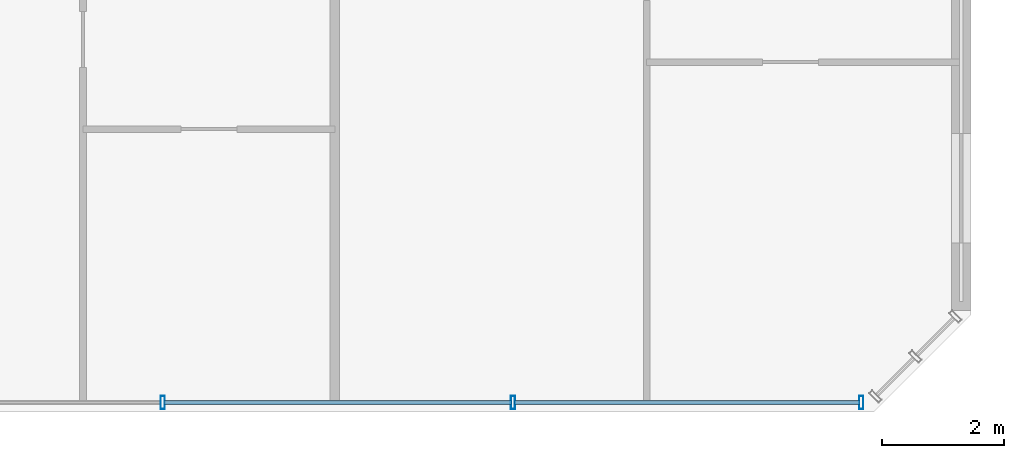
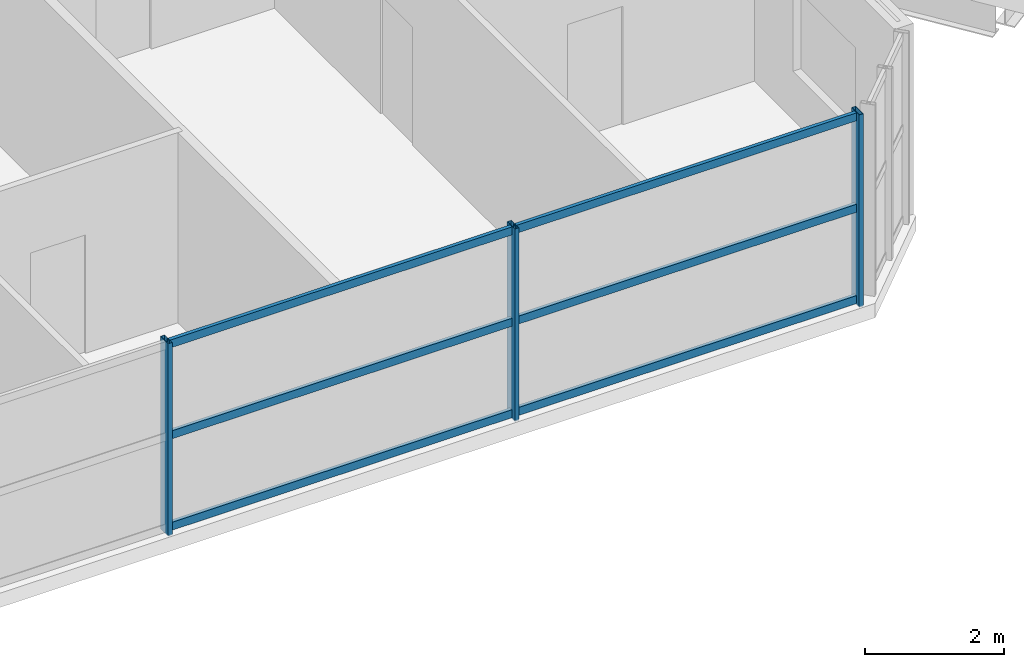
# One storey, part 7 of 28: 9 members, 1 element without a shape of its own.
"""IFC4 building model written with IfcOpenShell, lengths in metres."""

from ifc_helpers import new_model, si_unit, direction, frame, origin, origin_2d, place, context, subcontext, project, spatial, hollow_rectangle, extrude, source, transform, mapped, material, material_profile, profile_set, type_object, element, aggregate, save


model = new_model("IFC4")

# Units and contexts
model_context = context("Model", 3, precision=1e-05, world=origin(), true_north=direction((0.0, 1.0)))
body_context = subcontext(model_context, "Body", "Model", "MODEL_VIEW")
ifc_project = project(units=[si_unit("LENGTHUNIT", "METRE"), si_unit("AREAUNIT", "SQUARE_METRE"), si_unit("VOLUMEUNIT", "CUBIC_METRE"), si_unit("PLANEANGLEUNIT", "RADIAN"), si_unit("MASSUNIT", "GRAM", prefix="KILO")], contexts=[model_context])

# Site, building, storey
site_placement = place(None, origin())
site = spatial("IfcSite", under=ifc_project, at=site_placement, CompositionType="ELEMENT")
building_placement = place(site_placement, origin())
building = spatial("IfcBuilding", under=site, at=building_placement, Name="Tlacorven Tower", CompositionType="ELEMENT")
storey_placement = place(building_placement, frame((0.0, 0.0, 56.39990234375)))
storey = spatial("IfcBuildingStorey", under=building, at=storey_placement, Name="L14", CompositionType="ELEMENT", Elevation=56.39990234375)

# Curtain wall, members
ifc_material_1 = material(Name="Dark solar low-E double glazing in aluminium frame", Category="aluminium")
curtain_wall_type = type_object("IfcCurtainWallType", Name="CW-TWR-LOW", PredefinedType="USERDEFINED", material=ifc_material_1)
curtain_wall_placement = place(storey_placement, origin())
curtain_wall = element("IfcCurtainWall", 1, at=curtain_wall_placement, inside=storey, type_object=curtain_wall_type, Name="L14 CW-TWR-LOW Curtain Wall 76", ObjectType="UNITISED CURTAIN WALL", PredefinedType="USERDEFINED")
ifc_material_2 = material(Name="Aluminium 6063-T6 anodised", Category="aluminium")
ifc_material_profile_1 = material_profile(ifc_material_2, hollow_rectangle(XDim=0.070068359375, YDim=0.219970703125, WallThickness=0.0048828125, at=origin_2d()), Name="ALU MULLION 70X220")
ifc_profile_set_1 = profile_set([ifc_material_profile_1], Name="Aluminium 6063-T6 anodised")
member_type_1 = type_object("IfcMemberType", Name="CWM-01", PredefinedType="MULLION", material=ifc_profile_set_1)
shared_shape_1 = source(origin(), body_context, "Body", "SweptSolid", [
    extrude(hollow_rectangle(XDim=0.070068359375, YDim=0.219970703125, WallThickness=0.0048828125, at=origin_2d()), origin(), (0.0, 0.0, 1.0), 3.380126953125),
])
member_1_placement = place(storey_placement, frame((50.5986328125, 1.9599609375, -0.02001953125), z_axis=(0.0, 0.0, 1.0), x_axis=(-1.0, 0.0, 0.0)))
member_1 = element("IfcMember", 2, at=member_1_placement, type_object=member_type_1, Name="CW-L14-076 Mullion 1", PredefinedType="MULLION", context=body_context, shape_type="MappedRepresentation", body=[
    mapped(shared_shape_1, transform((0.0, 0.0, 0.0), scale=1.0)),
])
member_2_placement = place(storey_placement, frame((44.8779296875, 1.9599609375, -0.02001953125), z_axis=(0.0, 0.0, 1.0), x_axis=(-1.0, 0.0, 0.0)))
member_2 = element("IfcMember", 3, at=member_2_placement, type_object=member_type_1, Name="CW-L14-076 Mullion 2", PredefinedType="MULLION", context=body_context, shape_type="MappedRepresentation", body=[
    mapped(shared_shape_1, transform((0.0, 0.0, 0.0), scale=1.0)),
])
member_3_placement = place(storey_placement, frame((39.1220703125, 1.9599609375, -0.02001953125), z_axis=(0.0, 0.0, 1.0), x_axis=(-1.0, 0.0, 0.0)))
member_3 = element("IfcMember", 4, at=member_3_placement, type_object=member_type_1, Name="CW-L14-076 Mullion 3", PredefinedType="MULLION", context=body_context, shape_type="MappedRepresentation", body=[
    mapped(shared_shape_1, transform((0.0, 0.0, 0.0), scale=1.0)),
])
ifc_material_profile_2 = material_profile(ifc_material_2, hollow_rectangle(XDim=0.06005859375, YDim=0.139892578125, WallThickness=0.00390625, at=origin_2d()), Name="ALU TRANSOM 60X140")
ifc_profile_set_2 = profile_set([ifc_material_profile_2], Name="Aluminium 6063-T6 anodised")
member_type_2 = type_object("IfcMemberType", Name="CWT-02", PredefinedType="USERDEFINED", material=ifc_profile_set_2)
shared_shape_2 = source(origin(), body_context, "Body", "SweptSolid", [
    extrude(hollow_rectangle(XDim=0.06005859375, YDim=0.139892578125, WallThickness=0.00390625, at=origin_2d()), origin(), (0.0, 0.0, 1.0), 5.6748046875),
])
member_4_placement = place(storey_placement, frame((50.57568359375, 1.9599609375, 0.070068359375), z_axis=(-1.0, 0.0, 0.0), x_axis=(0.0, -1.0, 0.0)))
member_4 = element("IfcMember", 5, at=member_4_placement, type_object=member_type_2, Name="CW-L14-076 Transom 1", ObjectType="TRANSOM", PredefinedType="USERDEFINED", context=body_context, shape_type="MappedRepresentation", body=[
    mapped(shared_shape_2, transform((0.0, 0.0, 0.0), scale=1.0)),
])
member_5_placement = place(storey_placement, frame((50.57568359375, 1.9599609375, 1.675048828125), z_axis=(-1.0, 0.0, 0.0), x_axis=(0.0, -1.0, 0.0)))
member_5 = element("IfcMember", 6, at=member_5_placement, type_object=member_type_2, Name="CW-L14-076 Transom 2", ObjectType="TRANSOM", PredefinedType="USERDEFINED", context=body_context, shape_type="MappedRepresentation", body=[
    mapped(shared_shape_2, transform((0.0, 0.0, 0.0), scale=1.0)),
])
member_6_placement = place(storey_placement, frame((50.57568359375, 1.9599609375, 3.280029296875), z_axis=(-1.0, 0.0, 0.0), x_axis=(0.0, -1.0, 0.0)))
member_6 = element("IfcMember", 7, at=member_6_placement, type_object=member_type_2, Name="CW-L14-076 Transom 3", ObjectType="TRANSOM", PredefinedType="USERDEFINED", context=body_context, shape_type="MappedRepresentation", body=[
    mapped(shared_shape_2, transform((0.0, 0.0, 0.0), scale=1.0)),
])
shared_shape_3 = source(origin(), body_context, "Body", "SweptSolid", [
    extrude(hollow_rectangle(XDim=0.06005859375, YDim=0.139892578125, WallThickness=0.00390625, at=origin_2d()), origin(), (0.0, 0.0, 1.0), 5.7099609375),
])
member_7_placement = place(storey_placement, frame((44.85498046875, 1.9599609375, 0.070068359375), z_axis=(-1.0, 0.0, 0.0), x_axis=(0.0, -1.0, 0.0)))
member_7 = element("IfcMember", 8, at=member_7_placement, type_object=member_type_2, Name="CW-L14-076 Transom 4", ObjectType="TRANSOM", PredefinedType="USERDEFINED", context=body_context, shape_type="MappedRepresentation", body=[
    mapped(shared_shape_3, transform((0.0, 0.0, 0.0), scale=1.0)),
])
member_8_placement = place(storey_placement, frame((44.85498046875, 1.9599609375, 1.675048828125), z_axis=(-1.0, 0.0, 0.0), x_axis=(0.0, -1.0, 0.0)))
member_8 = element("IfcMember", 9, at=member_8_placement, type_object=member_type_2, Name="CW-L14-076 Transom 5", ObjectType="TRANSOM", PredefinedType="USERDEFINED", context=body_context, shape_type="MappedRepresentation", body=[
    mapped(shared_shape_3, transform((0.0, 0.0, 0.0), scale=1.0)),
])
member_9_placement = place(storey_placement, frame((44.85498046875, 1.9599609375, 3.280029296875), z_axis=(-1.0, 0.0, 0.0), x_axis=(0.0, -1.0, 0.0)))
member_9 = element("IfcMember", 10, at=member_9_placement, type_object=member_type_2, Name="CW-L14-076 Transom 6", ObjectType="TRANSOM", PredefinedType="USERDEFINED", context=body_context, shape_type="MappedRepresentation", body=[
    mapped(shared_shape_3, transform((0.0, 0.0, 0.0), scale=1.0)),
])
aggregate(curtain_wall, [member_1, member_2, member_3, member_4, member_5, member_6, member_7, member_8, member_9])

save(model, "model.ifc")
